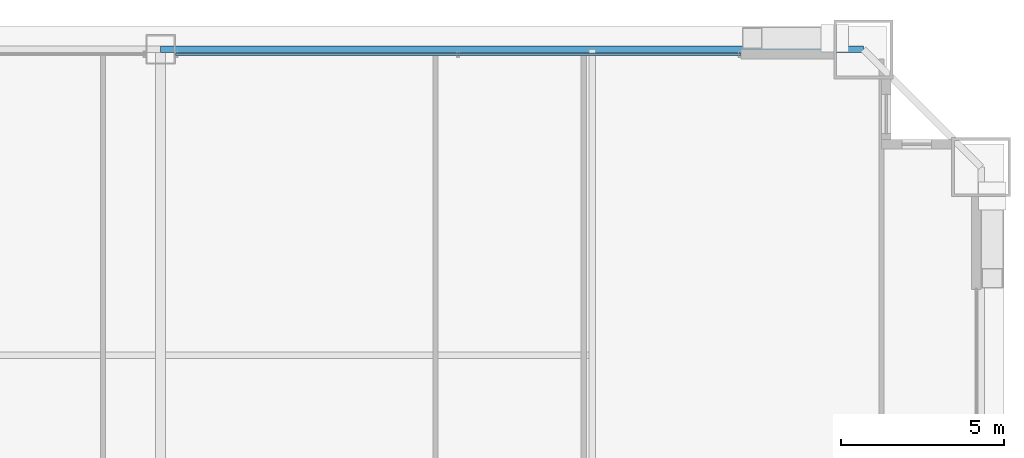
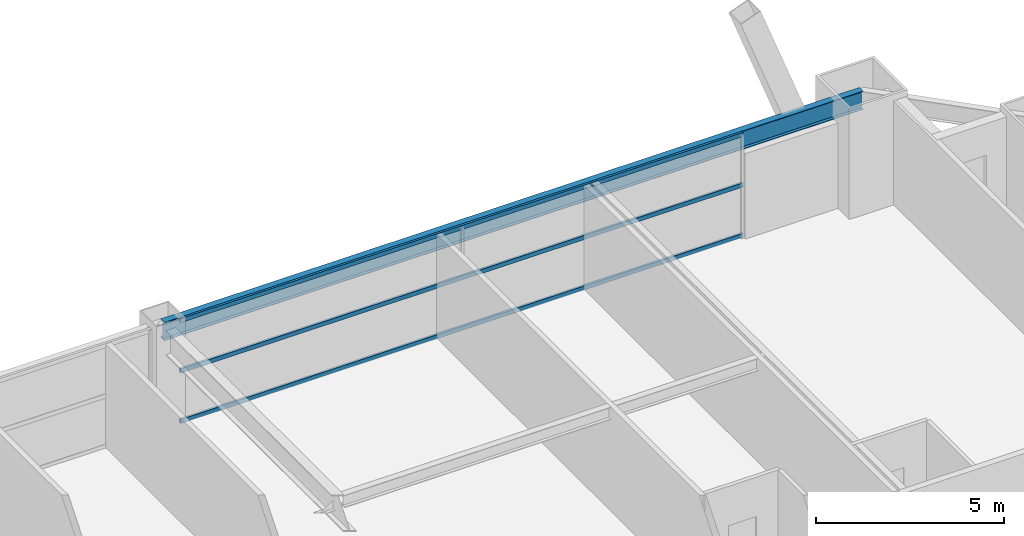
# One storey, part 36 of 43: 3 members, 1 beam, 1 element without a shape of its own.
"""IFC4 building model written with IfcOpenShell, lengths in metres."""

from ifc_helpers import new_model, si_unit, direction, frame, origin, origin_2d, place, context, subcontext, project, spatial, hollow_rectangle, i_section, extrude, source, transform, mapped, material, layer, layer_set, material_profile, profile_set, type_object, element, aggregate, save


model = new_model("IFC4")

# Units and contexts
model_context = context("Model", 3, precision=1e-05, world=origin(), true_north=direction((0.0, 1.0)))
body_context = subcontext(model_context, "Body", "Model", "MODEL_VIEW")
ifc_project = project(units=[si_unit("LENGTHUNIT", "METRE"), si_unit("AREAUNIT", "SQUARE_METRE"), si_unit("VOLUMEUNIT", "CUBIC_METRE"), si_unit("PLANEANGLEUNIT", "RADIAN"), si_unit("MASSUNIT", "GRAM", prefix="KILO"), si_unit("THERMODYNAMICTEMPERATUREUNIT", "KELVIN"), si_unit("POWERUNIT", "WATT")], contexts=[model_context])

# Site, building, storey
site_placement = place(None, origin())
site = spatial("IfcSite", under=ifc_project, at=site_placement, CompositionType="ELEMENT")
building_placement = place(site_placement, origin())
building = spatial("IfcBuilding", under=site, at=building_placement, Name="Yuzanri Waterfront Tower", CompositionType="ELEMENT")
storey_placement = place(building_placement, frame((0.0, 0.0, 67.60009765625)))
storey = spatial("IfcBuildingStorey", under=building, at=storey_placement, Name="L17", CompositionType="ELEMENT", Elevation=67.60009765625)

# Beam
ifc_material_1 = material(Name="Steel Q355B", Category="steel")
ifc_material_profile_1 = material_profile(ifc_material_1, i_section(OverallWidth=0.199951171875, OverallDepth=0.60009765625, WebThickness=0.010986328125, FlangeThickness=0.01708984375, at=origin_2d()), Name="HN 600x200x11x17")
ifc_profile_set_1 = profile_set([ifc_material_profile_1], Name="Steel Q355B")
beam_type = type_object("IfcBeamType", Name="Perimeter Spandrel Q355B HN 600x200", PredefinedType="SPANDREL", material=ifc_profile_set_1)
shared_shape_1 = source(origin(), body_context, "Body", "SweptSolid", [
    extrude(i_section(OverallWidth=0.199951171875, OverallDepth=0.60009765625, WebThickness=0.010986328125, FlangeThickness=0.01708984375, at=origin_2d()), origin(), (0.0, 0.0, 1.0), 21.5),
])
beam_placement = place(storey_placement, frame((58.5, 50.89990234375, 3.079833984375), z_axis=(-1.0, 0.0, 0.0), x_axis=(0.0, -1.0, 0.0)))
element("IfcBeam", 1, at=beam_placement, inside=storey, type_object=beam_type, Name="L17 Perimeter Spandrel N3-N2", PredefinedType="SPANDREL", context=body_context, shape_type="MappedRepresentation", body=[
    mapped(shared_shape_1, transform((0.0, 0.0, 0.0), scale=1.0)),
])

# Curtain wall, members
ifc_material_2 = material(Name="Anodized Architectural Bronze", Category="metal")
ifc_layer = layer(ifc_material_2, 0.159912109375)
ifc_layer_set = layer_set([ifc_layer], Name="Anodized Architectural Bronze")
curtain_wall_type = type_object("IfcCurtainWallType", Name="Anodized Bronze Hotel Lower-Tier Recessed Unitized Curtain Wall 8100", PredefinedType="NOTDEFINED", material=ifc_layer_set)
curtain_wall_placement = place(storey_placement, origin())
curtain_wall = element("IfcCurtainWall", 2, at=curtain_wall_placement, inside=storey, type_object=curtain_wall_type, Name="L17 Curtain Wall CW-L17-NR", PredefinedType="NOTDEFINED")
ifc_material_3 = material(Name="Anodized Architectural Bronze", Category="metal")
ifc_material_profile_2 = material_profile(ifc_material_3, hollow_rectangle(XDim=0.070068359375, YDim=0.135009765625, WallThickness=0.00341796875, at=origin_2d()), Name="CWT 70x135")
ifc_profile_set_2 = profile_set([ifc_material_profile_2], Name="Anodized Architectural Bronze")
member_type = type_object("IfcMemberType", Name="Anodized Bronze Standard Curtain-Wall Transom 70x135", PredefinedType="USERDEFINED", material=ifc_profile_set_2)
shared_shape_2 = source(origin(), body_context, "Body", "SweptSolid", [
    extrude(hollow_rectangle(XDim=0.070068359375, YDim=0.135009765625, WallThickness=0.00341796875, at=origin_2d()), origin(), (0.0, 0.0, 1.0), 17.300048828125),
])
member_1_placement = place(storey_placement, frame((37.449951171875, 50.75, 0.0498046875), z_axis=(1.0, 0.0, 0.0), x_axis=(0.0, 1.0, 0.0)))
member_1 = element("IfcMember", 3, at=member_1_placement, type_object=member_type, Name="CW-L17-NR Transom 1", ObjectType="TRANSOM", PredefinedType="USERDEFINED", context=body_context, shape_type="MappedRepresentation", body=[
    mapped(shared_shape_2, transform((0.0, 0.0, 0.0), scale=1.0)),
])
member_2_placement = place(storey_placement, frame((37.449951171875, 50.75, 1.68994140625), z_axis=(1.0, 0.0, 0.0), x_axis=(0.0, 1.0, 0.0)))
member_2 = element("IfcMember", 4, at=member_2_placement, type_object=member_type, Name="CW-L17-NR Transom 2", ObjectType="TRANSOM", PredefinedType="USERDEFINED", context=body_context, shape_type="MappedRepresentation", body=[
    mapped(shared_shape_2, transform((0.0, 0.0, 0.0), scale=1.0)),
])
member_3_placement = place(storey_placement, frame((37.449951171875, 50.75, 3.329833984375), z_axis=(1.0, 0.0, 0.0), x_axis=(0.0, 1.0, 0.0)))
member_3 = element("IfcMember", 5, at=member_3_placement, type_object=member_type, Name="CW-L17-NR Transom 3", ObjectType="TRANSOM", PredefinedType="USERDEFINED", context=body_context, shape_type="MappedRepresentation", body=[
    mapped(shared_shape_2, transform((0.0, 0.0, 0.0), scale=1.0)),
])
aggregate(curtain_wall, [member_1, member_2, member_3])

save(model, "model.ifc")
